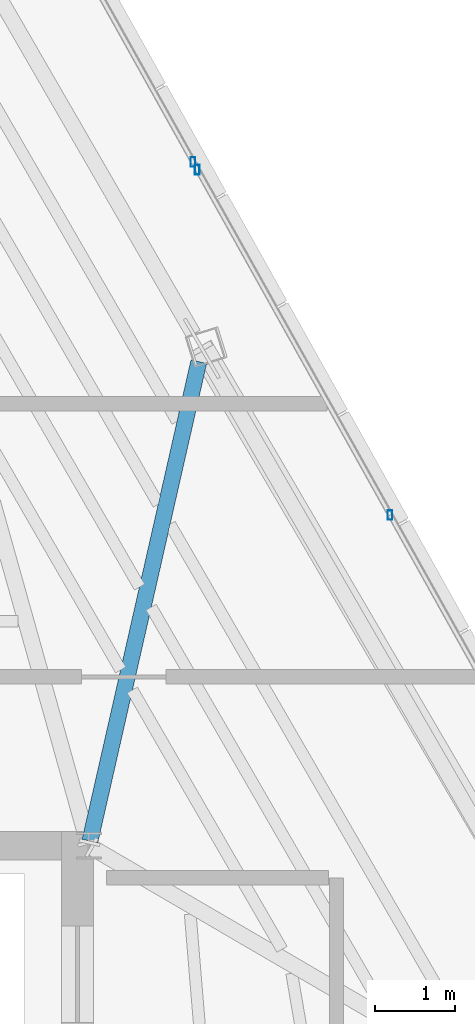
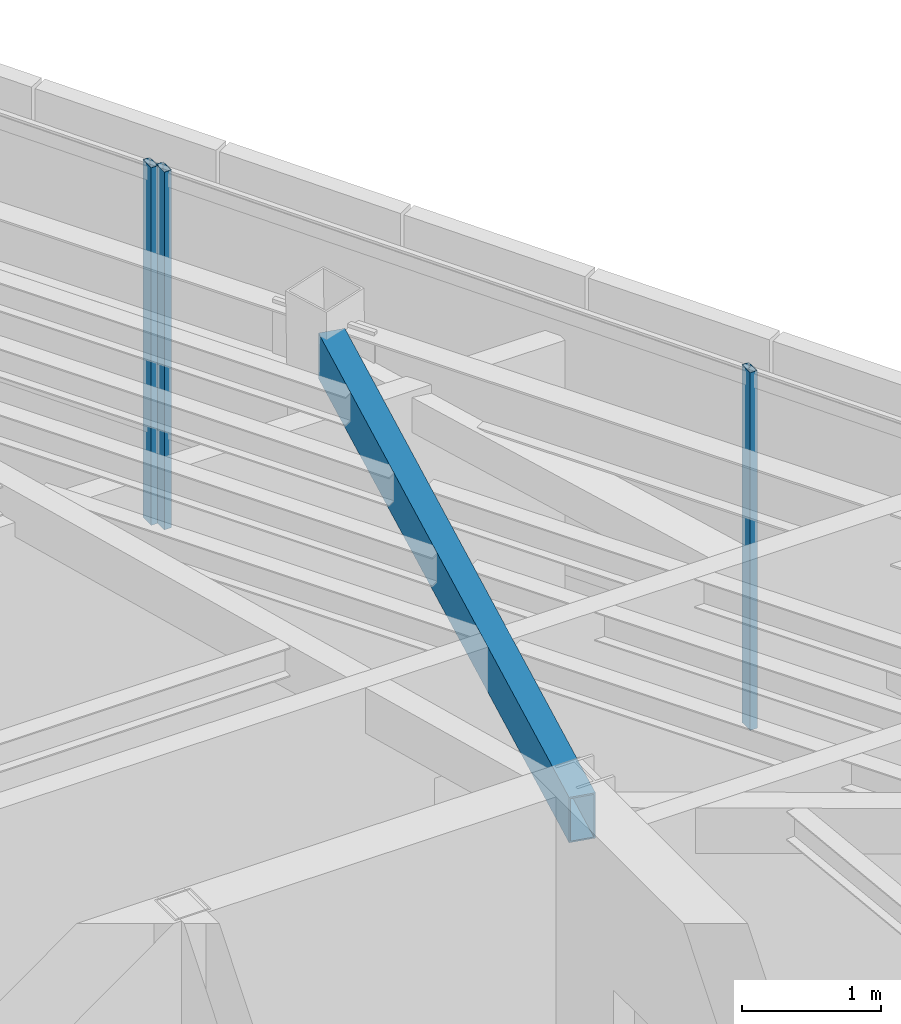
# One storey, part 31 of 44: 3 members, 1 beam, 2 elements without a shape of their own.
"""IFC4 building model written with IfcOpenShell, lengths in metres."""

from ifc_helpers import new_model, si_unit, direction, frame, origin, origin_2d, place, context, subcontext, project, spatial, hollow_rectangle, extrude, source, transform, mapped, material, material_profile, profile_set, type_object, type_shapes, element, aggregate, save


model = new_model("IFC4")

# Units and contexts
model_context = context("Model", 3, precision=1e-05, world=origin(), true_north=direction((0.0, 1.0)))
body_context = subcontext(model_context, "Body", "Model", "MODEL_VIEW")
ifc_project = project(units=[si_unit("LENGTHUNIT", "METRE"), si_unit("AREAUNIT", "SQUARE_METRE"), si_unit("VOLUMEUNIT", "CUBIC_METRE"), si_unit("PLANEANGLEUNIT", "RADIAN"), si_unit("MASSUNIT", "GRAM", prefix="KILO")], contexts=[model_context])

# Site, building, storey
site_placement = place(None, origin())
site = spatial("IfcSite", under=ifc_project, at=site_placement, CompositionType="ELEMENT")
building_placement = place(site_placement, origin())
building = spatial("IfcBuilding", under=site, at=building_placement, Name="Caelisora Broadcast Tower", CompositionType="ELEMENT")
storey_placement = place(building_placement, frame((0.0, 0.0, 296.60009765625)))
storey = spatial("IfcBuildingStorey", under=building, at=storey_placement, Name="L78", CompositionType="ELEMENT", Elevation=296.60009765625)

# Beam
ifc_material_1 = material(Name="Steel Grade 350 (AS/NZS 1163 C350L0)", Category="steel")
ifc_material_profile_1 = material_profile(ifc_material_1, hollow_rectangle(XDim=0.199951171875, YDim=0.39990234375, WallThickness=0.012451171875, at=origin_2d()), Name="Steel Grade 350 (AS/NZS 1163 C350L0)")
ifc_profile_set_1 = profile_set([ifc_material_profile_1], Name="Steel Grade 350 (AS/NZS 1163 C350L0)")
beam_type = type_object("IfcBeamType", Name="PG07", PredefinedType="BEAM", material=ifc_profile_set_1)
shared_shape_1 = source(origin(), body_context, "Body", "SweptSolid", [
    extrude(hollow_rectangle(XDim=0.199951171875, YDim=0.39990234375, WallThickness=0.012451171875, at=origin_2d()), origin(), (0.0, 0.0, 1.0), 6.11474609375),
])
type_shapes(beam_type, [shared_shape_1])
beam_placement = place(storey_placement, frame((45.51318359375, 30.05859375, 2.949951171875), z_axis=(0.221510657934, 0.975157950499, 0.0), x_axis=(-0.975157950499, 0.221510657934, 0.0)))
element("IfcBeam", 1, at=beam_placement, inside=storey, type_object=beam_type, Name="L78 beam PG07", PredefinedType="BEAM", context=body_context, shape_type="MappedRepresentation", body=[
    mapped(shared_shape_1, transform((0.0, 0.0, 0.0), scale=1.0)),
])

# Curtain wall, member
ifc_material_2 = material(Name="Unitised Aluminium Insulated Shadow-Box Spandrel Curtain Wall", Category="aluminium")
curtain_wall_type = type_object("IfcCurtainWallType", Name="CW-SP3", PredefinedType="NOTDEFINED", material=ifc_material_2)
curtain_wall_1_placement = place(storey_placement, origin())
curtain_wall_1 = element("IfcCurtainWall", 2, at=curtain_wall_1_placement, inside=storey, type_object=curtain_wall_type, Name="L78 curtain wall CW-SP3", PredefinedType="NOTDEFINED")
ifc_material_3 = material(Name="Aluminium 6063-T6 Anodised Terracotta Bronze", Category="aluminium")
ifc_material_profile_2 = material_profile(ifc_material_3, hollow_rectangle(XDim=0.06005859375, YDim=0.1201171875, WallThickness=0.0029296875, at=origin_2d()), Name="Aluminium 6063-T6 Anodised Terracotta Bronze")
ifc_profile_set_2 = profile_set([ifc_material_profile_2], Name="Aluminium 6063-T6 Anodised Terracotta Bronze")
member_type = type_object("IfcMemberType", Name="CWM-04", PredefinedType="MULLION", material=ifc_profile_set_2)
shared_shape_2 = source(origin(), body_context, "Body", "SweptSolid", [
    extrude(hollow_rectangle(XDim=0.06005859375, YDim=0.1201171875, WallThickness=0.0029296875, at=origin_2d()), origin(), (0.0, 0.0, 1.0), 3.14990234375),
])
type_shapes(member_type, [shared_shape_2])
member_1_placement = place(storey_placement, frame((46.79443359375, 38.5048828125, 0.0), z_axis=(0.0, 0.0, 1.0), x_axis=(1.0, 0.0, 0.0)))
member_1 = element("IfcMember", 3, at=member_1_placement, type_object=member_type, Name="L78-CW-B01 mullion #3", PredefinedType="MULLION", context=body_context, shape_type="MappedRepresentation", body=[
    mapped(shared_shape_2, transform((0.0, 0.0, 0.0), scale=1.0)),
])
aggregate(curtain_wall_1, [member_1])

# Curtain wall, members
curtain_wall_2_placement = place(storey_placement, origin())
curtain_wall_2 = element("IfcCurtainWall", 4, at=curtain_wall_2_placement, inside=storey, type_object=curtain_wall_type, Name="L78 curtain wall CW-SP3", PredefinedType="NOTDEFINED")
member_2_placement = place(storey_placement, frame((46.84814453125, 38.408935546875, 0.0), z_axis=(0.0, 0.0, 1.0), x_axis=(1.0, 0.0, 0.0)))
member_2 = element("IfcMember", 5, at=member_2_placement, type_object=member_type, Name="L78-CW-B02 mullion #0", PredefinedType="MULLION", context=body_context, shape_type="MappedRepresentation", body=[
    mapped(shared_shape_2, transform((0.0, 0.0, 0.0), scale=1.0)),
])
member_3_placement = place(storey_placement, frame((49.246337890625, 34.112548828125, 0.0), z_axis=(0.0, 0.0, 1.0), x_axis=(1.0, 0.0, 0.0)))
member_3 = element("IfcMember", 6, at=member_3_placement, type_object=member_type, Name="L78-CW-B02 mullion #1", PredefinedType="MULLION", context=body_context, shape_type="MappedRepresentation", body=[
    mapped(shared_shape_2, transform((0.0, 0.0, 0.0), scale=1.0)),
])
aggregate(curtain_wall_2, [member_2, member_3])

save(model, "model.ifc")
